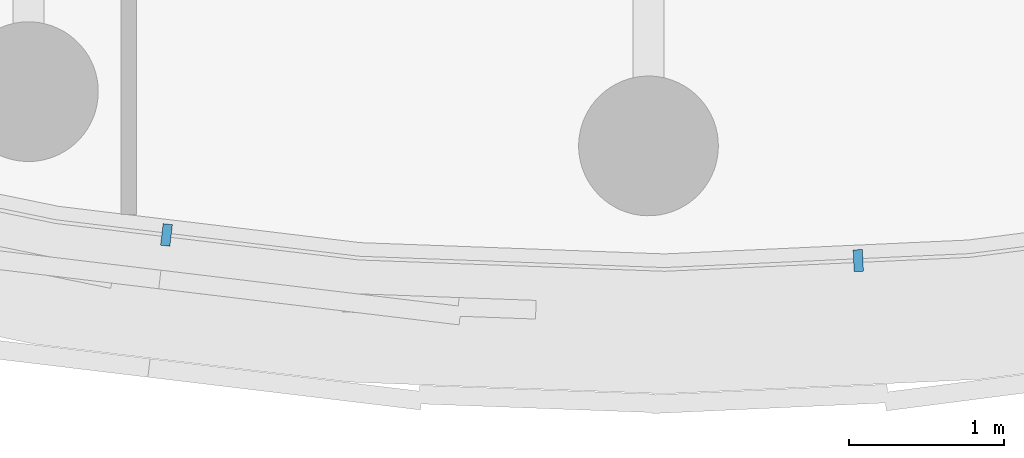
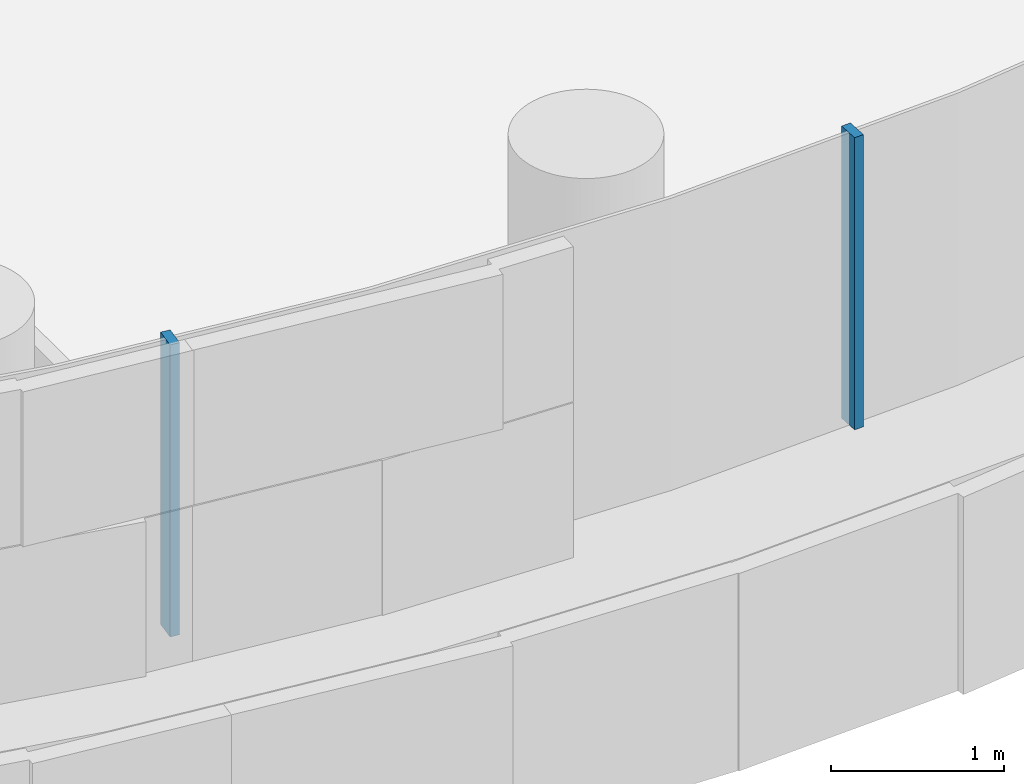
# One storey, part 5 of 27: 2 members, 1 element without a shape of its own.
"""IFC4 building model written with IfcOpenShell, lengths in metres."""

import ifcopenshell
import ifcopenshell.guid

model = None  # the IFC model being written
_history = None  # IfcOwnerHistory: only IFC2X3 demands one
_inside = {}  # id of a spatial element -> (the spatial element, [elements in it])
_under = {}  # id of a project, library or spatial element -> (it, [spatial elements below it])
_declared = {}  # id of a project -> (the project, [libraries it declares])
_typed = {}  # id of a type object -> (the type object, [elements of that type])
_made_of = {}  # id of a material, layer set ... -> (it, [elements and type objects made of it])


def new_model(schema):
    """Start an empty IFC model of exactly this schema.

    Asked for "IFC4X3", IfcOpenShell would pick the latest addendum, in which some entities
    have other attributes; the version numbers below select the first issue.
    IFC2X3 requires an IfcOwnerHistory on every rooted entity: one is made here for all.
    """
    global model, _history
    if schema == "IFC4X3":
        model = ifcopenshell.file(schema_version=(4, 3, 0, 0))
    else:
        model = ifcopenshell.file(schema=schema)
    _inside.clear()
    _under.clear()
    _declared.clear()
    _typed.clear()
    _made_of.clear()
    _history = None
    if model.schema == "IFC2X3":
        org = make("IfcOrganization", Name="unknown")
        user = make(
            "IfcPersonAndOrganization",
            ThePerson=make("IfcPerson", FamilyName="unknown"),
            TheOrganization=org,
        )
        app = make(
            "IfcApplication",
            ApplicationDeveloper=org,
            Version="unknown",
            ApplicationFullName="unknown",
            ApplicationIdentifier="unknown",
        )
        _history = make(
            "IfcOwnerHistory",
            OwningUser=user,
            OwningApplication=app,
            ChangeAction="ADDED",
            CreationDate=0,
        )
    return model


def make(cls, **values):
    """One entity of the class cls with the attributes given. An attribute that is None is left unset."""
    return model.create_entity(
        cls, **{name: value for name, value in values.items() if value is not None}
    )


def rooted(cls, **values):
    """An entity with a GlobalId (a new one), such as an element, a storey or a relation."""
    return make(cls, GlobalId=ifcopenshell.guid.new(), OwnerHistory=_history, **values)


def si_unit(unit_type, name, prefix=None):
    """IfcSIUnit, for example si_unit("LENGTHUNIT", "METRE", prefix="MILLI")."""
    return make("IfcSIUnit", UnitType=unit_type, Prefix=prefix, Name=name)


def assignment(units):
    """IfcUnitAssignment: the units of a project."""
    return None if units is None else make("IfcUnitAssignment", Units=units)


def point(xyz):
    """IfcCartesianPoint."""
    return None if xyz is None else make("IfcCartesianPoint", Coordinates=xyz)


def direction(xyz):
    """IfcDirection."""
    return None if xyz is None else make("IfcDirection", DirectionRatios=xyz)


def frame(location, z_axis=None, x_axis=None):
    """IfcAxis2Placement3D, a coordinate frame: its origin and axes. An axis left out is left unset."""
    return make(
        "IfcAxis2Placement3D",
        Location=point(location),
        Axis=direction(z_axis),
        RefDirection=direction(x_axis),
    )


def frame_2d(location, x_axis=None):
    """IfcAxis2Placement2D, a coordinate frame in the plane: its origin and x axis."""
    return make(
        "IfcAxis2Placement2D", Location=point(location), RefDirection=direction(x_axis)
    )


def origin():
    """The frame at (0, 0, 0) with its axes left unset."""
    return frame((0.0, 0.0, 0.0))


def origin_2d():
    """The frame at (0, 0) in the plane with its x axis left unset."""
    return frame_2d((0.0, 0.0))


def place(relative_to, where):
    """IfcLocalPlacement: puts the frame where relative to a parent placement (None: the world)."""
    return make(
        "IfcLocalPlacement", PlacementRelTo=relative_to, RelativePlacement=where
    )


def context(
    kind, dimensions, precision=None, world=None, true_north=None, identifier=None
):
    """IfcGeometricRepresentationContext, for example the 3D "Model" context."""
    return make(
        "IfcGeometricRepresentationContext",
        ContextIdentifier=identifier,
        ContextType=kind,
        CoordinateSpaceDimension=dimensions,
        Precision=precision,
        WorldCoordinateSystem=world,
        TrueNorth=true_north,
    )


def subcontext(parent, identifier, kind, view, scale=None):
    """IfcGeometricRepresentationSubContext, for example "Body" below "Model"."""
    return make(
        "IfcGeometricRepresentationSubContext",
        ContextIdentifier=identifier,
        ContextType=kind,
        ParentContext=parent,
        TargetScale=scale,
        TargetView=view,
    )


def project(units=None, contexts=None):
    """IfcProject with its units and contexts."""
    return rooted(
        "IfcProject",
        Name="project",
        RepresentationContexts=contexts,
        UnitsInContext=assignment(units),
    )


def spatial(cls, under=None, at=None, **own):
    """A site, building, storey or space (cls), placed at a placement, below another one or the project."""
    s = rooted(cls, ObjectPlacement=at, **own)
    if under is not None:
        _under.setdefault(under.id(), (under, []))[1].append(s)
    return s


def profile(cls, at=None, kind="AREA", **sizes):
    """A parametric profile (cls). Its sizes go by their IFC names, for example OverallWidth=200.0."""
    return make(cls, ProfileType=kind, Position=at, **sizes)


def rectangle(**sizes):
    """IfcRectangleProfileDef."""
    return profile("IfcRectangleProfileDef", **sizes)


def extrude(swept, where, along, depth):
    """IfcExtrudedAreaSolid: the profile swept, set in the frame where, extruded along a direction by depth."""
    return make(
        "IfcExtrudedAreaSolid",
        SweptArea=swept,
        Position=where,
        ExtrudedDirection=direction(along),
        Depth=depth,
    )


def shape(context_of_items, identifier, shape_type, items):
    """IfcShapeRepresentation: the items that make up one representation, for example the "Body"."""
    return make(
        "IfcShapeRepresentation",
        ContextOfItems=context_of_items,
        RepresentationIdentifier=identifier,
        RepresentationType=shape_type,
        Items=items,
    )


def material(Name=None, Category=None):
    """IfcMaterial."""
    return make("IfcMaterial", Name=Name, Category=Category)


def layer(
    of_material, thickness, ventilated=None, Name=None, Category=None, Priority=None
):
    """IfcMaterialLayer: one layer of a wall or slab, of a material (None: an air gap)."""
    return make(
        "IfcMaterialLayer",
        Material=of_material,
        LayerThickness=thickness,
        IsVentilated=ventilated,
        Name=Name,
        Category=Category,
        Priority=Priority,
    )


def layer_set(layers, Name=None):
    """IfcMaterialLayerSet."""
    return make("IfcMaterialLayerSet", MaterialLayers=layers, LayerSetName=Name)


def material_profile(
    of_material, cross_section, Name=None, Category=None, Priority=None
):
    """IfcMaterialProfile: a cross section and its material."""
    return make(
        "IfcMaterialProfile",
        Name=Name,
        Material=of_material,
        Profile=cross_section,
        Priority=Priority,
        Category=Category,
    )


def profile_set(profiles, Name=None, composite=None):
    """IfcMaterialProfileSet."""
    return make(
        "IfcMaterialProfileSet",
        Name=Name,
        MaterialProfiles=profiles,
        CompositeProfile=composite,
    )


def made_of(thing, what):
    """Note that an element or type object is made of a material, layer set ...; save() writes the relation."""
    if what is not None:
        _made_of.setdefault(what.id(), (what, []))[1].append(thing)
    return thing


def type_object(cls, material=None, **own):
    """A type object (cls), such as IfcWallType, which elements share."""
    return made_of(rooted(cls, **own), material)


def element(
    cls,
    number,
    at=None,
    inside=None,
    cuts=None,
    type_object=None,
    material=None,
    context=None,
    identifier="Body",
    shape_type=None,
    held_by="IfcProductDefinitionShape",
    body=None,
    shapes=None,
    **own,
):
    """One element of the class cls, such as IfcWall. Its Tag is "e" and its number.

    at: its placement. inside: the storey or other place that contains it. cuts: it is an
    opening in that element (IfcRelVoidsElement). A single representation is given by context,
    identifier, shape_type and body (its items); several are given by shapes. held_by: the class
    of the entity that holds the representations. save() writes the other relations.
    """
    e = rooted(cls, Tag="e%d" % number, ObjectPlacement=at, **own)
    if body is not None:
        shapes = [shape(context, identifier, shape_type, body)]
    if shapes is not None:
        e.Representation = make(held_by, Representations=shapes)
    if inside is not None:
        _inside.setdefault(inside.id(), (inside, []))[1].append(e)
    if cuts is not None:
        rooted(
            "IfcRelVoidsElement", RelatingBuildingElement=cuts, RelatedOpeningElement=e
        )
    if type_object is not None:
        _typed.setdefault(type_object.id(), (type_object, []))[1].append(e)
    return made_of(e, material)


def aggregate(whole, parts):
    """IfcRelAggregates: a whole, such as a stair, and the parts it consists of."""
    return rooted("IfcRelAggregates", RelatingObject=whole, RelatedObjects=parts)


def save(model, path):
    """Write the relations noted so far, then the file.

    IfcRelAggregates (storeys below a building ...), IfcRelContainedInSpatialStructure (elements
    in a storey), IfcRelDefinesByType, IfcRelAssociatesMaterial and IfcRelDeclares: one each for
    every whole, place, type object, material and project.
    """
    for whole, parts in _under.values():
        aggregate(whole, parts)
    for where, things in _inside.values():
        rooted(
            "IfcRelContainedInSpatialStructure",
            RelatedElements=things,
            RelatingStructure=where,
        )
    for kind, things in _typed.values():
        rooted("IfcRelDefinesByType", RelatedObjects=things, RelatingType=kind)
    for what, things in _made_of.values():
        rooted("IfcRelAssociatesMaterial", RelatedObjects=things, RelatingMaterial=what)
    for by, libraries in _declared.values():
        rooted("IfcRelDeclares", RelatingContext=by, RelatedDefinitions=libraries)
    model.write(path)


model = new_model("IFC4")

# Units and contexts
model_context = context("Model", 3, precision=1e-05, world=origin(), true_north=direction((0.0, 1.0)))
body_context = subcontext(model_context, "Body", "Model", "MODEL_VIEW")
ifc_project = project(units=[si_unit("LENGTHUNIT", "METRE"), si_unit("AREAUNIT", "SQUARE_METRE"), si_unit("VOLUMEUNIT", "CUBIC_METRE"), si_unit("PLANEANGLEUNIT", "RADIAN"), si_unit("MASSUNIT", "GRAM", prefix="KILO")], contexts=[model_context])

# Site, building, storey
site_placement = place(None, origin())
site = spatial("IfcSite", under=ifc_project, at=site_placement, CompositionType="ELEMENT")
building_placement = place(site_placement, origin())
building = spatial("IfcBuilding", under=site, at=building_placement, Name="Tamarind Cross Interchange Tower", CompositionType="ELEMENT")
storey_placement = place(building_placement, frame((0.0, 0.0, 241.5)))
storey = spatial("IfcBuildingStorey", under=building, at=storey_placement, Name="L61", CompositionType="ELEMENT", Elevation=241.5)

# Curtain wall, members
ifc_material = material(Name="Aluminium 6063-T6", Category="aluminium")
ifc_layer = layer(ifc_material, 0.139892578125)
ifc_layer_set = layer_set([ifc_layer], Name="Aluminium 6063-T6")
curtain_wall_type = type_object("IfcCurtainWallType", Name="Hotel curtain wall, 4.5 m bays", PredefinedType="NOTDEFINED", material=ifc_layer_set)
curtain_wall_placement = place(storey_placement, origin())
curtain_wall = element("IfcCurtainWall", 1, at=curtain_wall_placement, inside=storey, type_object=curtain_wall_type, Name="CWS-L61-02", PredefinedType="NOTDEFINED")
ifc_material_profile = material_profile(ifc_material, rectangle(XDim=0.06005859375, YDim=0.139892578125, at=origin_2d()), Name="Mullion CW2")
ifc_profile_set = profile_set([ifc_material_profile], Name="Aluminium 6063-T6")
member_type = type_object("IfcMemberType", Name="Mullion CW2", PredefinedType="MULLION", material=ifc_profile_set)
member_1_placement = place(storey_placement, frame((-3.1044921875, -23.573486328125, 1.39990234375), z_axis=(0.0, 0.0, 1.0), x_axis=(0.992843710523, -0.119420963295, 0.0)))
member_1 = element("IfcMember", 2, at=member_1_placement, type_object=member_type, Name="CWM-L61-02-05", PredefinedType="MULLION", context=body_context, shape_type="SweptSolid", body=[
    extrude(rectangle(XDim=0.06005859375, YDim=0.139892578125, at=origin_2d()), origin(), (0.0, 0.0, 1.0), 2.06005859375),
])
member_2_placement = place(storey_placement, frame((1.35107421875, -23.738525390625, 1.39990234375), z_axis=(0.0, 0.0, 1.0), x_axis=(0.998958660912, 0.045624486728, 0.0)))
member_2 = element("IfcMember", 3, at=member_2_placement, type_object=member_type, Name="CWM-L61-02-06", PredefinedType="MULLION", context=body_context, shape_type="SweptSolid", body=[
    extrude(rectangle(XDim=0.06005859375, YDim=0.139892578125, at=origin_2d()), origin(), (0.0, 0.0, 1.0), 2.06005859375),
])
aggregate(curtain_wall, [member_1, member_2])

save(model, "model.ifc")
